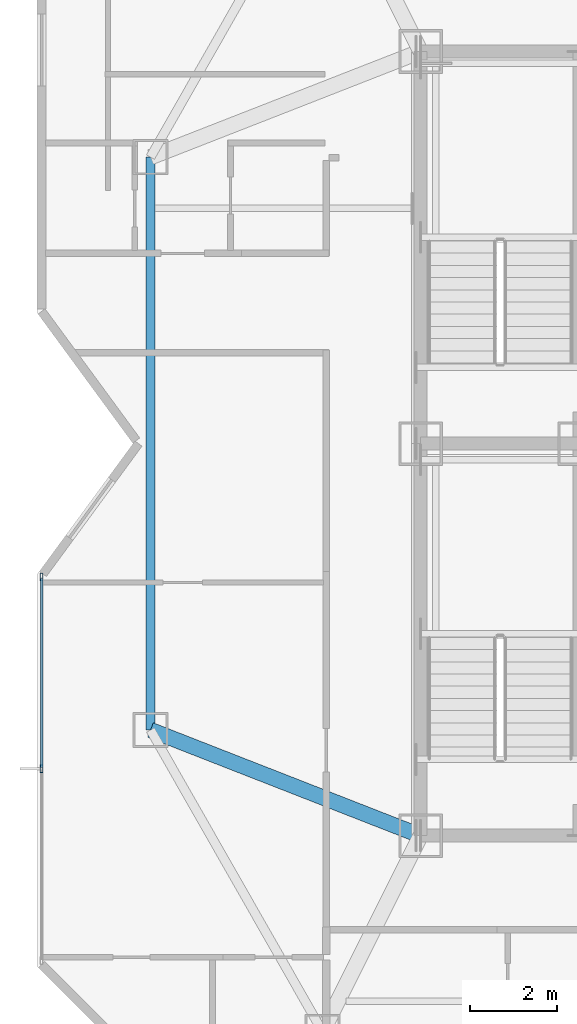
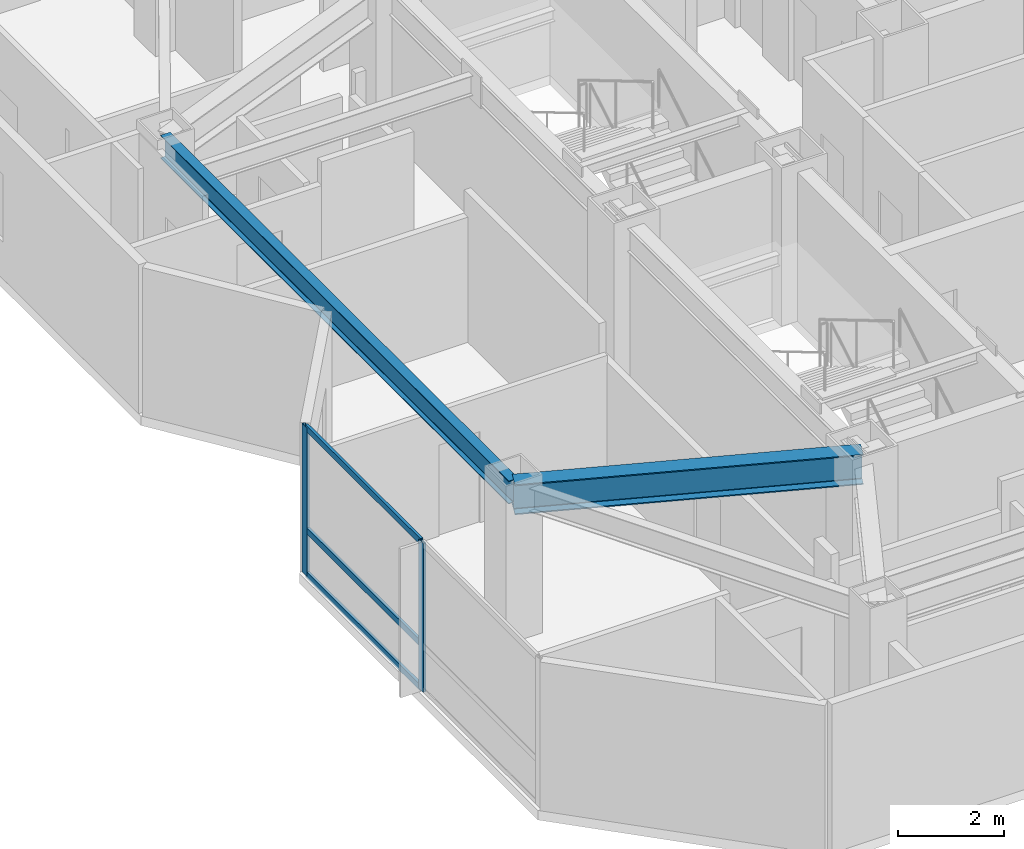
# One storey, part 4 of 14: 5 members, 2 beams, 1 element without a shape of its own.
"""IFC4 building model written with IfcOpenShell, lengths in metres."""

from ifc_helpers import new_model, si_unit, direction, frame, origin, origin_2d, place, context, subcontext, project, spatial, hollow_rectangle, i_section, extrude, material, material_profile, profile_set, type_object, element, aggregate, save


model = new_model("IFC4")

# Units and contexts
model_context = context("Model", 3, precision=1e-05, world=origin(), true_north=direction((0.0, 1.0)))
body_context = subcontext(model_context, "Body", "Model", "MODEL_VIEW")
ifc_project = project(units=[si_unit("LENGTHUNIT", "METRE"), si_unit("AREAUNIT", "SQUARE_METRE"), si_unit("VOLUMEUNIT", "CUBIC_METRE"), si_unit("PLANEANGLEUNIT", "RADIAN"), si_unit("MASSUNIT", "GRAM", prefix="KILO")], contexts=[model_context])

# Site, building, storey
site_placement = place(None, origin())
site = spatial("IfcSite", under=ifc_project, at=site_placement, CompositionType="ELEMENT")
building_placement = place(site_placement, origin())
building = spatial("IfcBuilding", under=site, at=building_placement, Name="Khamvora Tower", CompositionType="ELEMENT")
storey_placement = place(building_placement, frame((0.0, 0.0, 231.800048828125)))
storey = spatial("IfcBuildingStorey", under=building, at=storey_placement, Name="L59", CompositionType="ELEMENT", Elevation=231.800048828125)

# Beams
ifc_material_1 = material(Name="Steel S355", Category="steel")
ifc_material_profile_1 = material_profile(ifc_material_1, i_section(OverallWidth=0.35498046875, OverallDepth=0.695068359375, WebThickness=0.014892578125, FlangeThickness=0.02490234375, FilletRadius=0.01611328125, at=origin_2d()), Name="W690x217")
ifc_profile_set_1 = profile_set([ifc_material_profile_1], Name="Steel S355")
beam_type_1 = type_object("IfcBeamType", Name="BM-PG-W690x217", PredefinedType="BEAM", material=ifc_profile_set_1)
beam_1_placement = place(storey_placement, frame((29.0, 19.0, 3.08203125), z_axis=(-0.931294712743, 0.36426660294, 0.0), x_axis=(-0.36426660294, -0.931294712743, 0.0)))
element("IfcBeam", 1, at=beam_1_placement, inside=storey, type_object=beam_type_1, Name="L59 primary floor girder W1", PredefinedType="BEAM", context=body_context, shape_type="SweptSolid", body=[
    extrude(i_section(OverallWidth=0.35498046875, OverallDepth=0.695068359375, WebThickness=0.014892578125, FlangeThickness=0.02490234375, FilletRadius=0.01611328125, at=origin_2d()), origin(), (0.0, 0.0, 1.0), 6.6572265625),
])
ifc_material_profile_2 = material_profile(ifc_material_1, i_section(OverallWidth=0.208984375, OverallDepth=0.532958984375, WebThickness=0.010009765625, FlangeThickness=0.01611328125, FilletRadius=0.013916015625, at=origin_2d()), Name="W530x92")
ifc_profile_set_2 = profile_set([ifc_material_profile_2], Name="Steel S355")
beam_type_2 = type_object("IfcBeamType", Name="BM-SP-W530x92", PredefinedType="SPANDREL", material=ifc_profile_set_2)
beam_2_placement = place(storey_placement, frame((22.800048828125, 34.574951171875, 3.162841796875), z_axis=(0.0, -1.0, 0.0), x_axis=(1.0, 0.0, 0.0)))
element("IfcBeam", 2, at=beam_2_placement, inside=storey, type_object=beam_type_2, Name="L59 perimeter spandrel beam W2-W1", PredefinedType="SPANDREL", context=body_context, shape_type="SweptSolid", body=[
    extrude(i_section(OverallWidth=0.208984375, OverallDepth=0.532958984375, WebThickness=0.010009765625, FlangeThickness=0.01611328125, FilletRadius=0.013916015625, at=origin_2d()), origin(), (0.0, 0.0, 1.0), 13.14990234375),
])

# Curtain wall, members
ifc_material_2 = material(Name="Anodised Aluminium 6063-T6", Category="aluminium")
curtain_wall_type = type_object("IfcCurtainWallType", Name="CW-SYS-05", PredefinedType="NOTDEFINED", material=ifc_material_2)
curtain_wall_placement = place(storey_placement, origin())
curtain_wall = element("IfcCurtainWall", 3, at=curtain_wall_placement, inside=storey, type_object=curtain_wall_type, Name="L59 stick curtain wall 02.1", PredefinedType="NOTDEFINED")
ifc_material_profile_3 = material_profile(ifc_material_2, hollow_rectangle(XDim=0.06005859375, YDim=0.175048828125, WallThickness=0.0048828125, at=origin_2d()), Name="MUL60x175x5")
ifc_profile_set_3 = profile_set([ifc_material_profile_3], Name="Anodised Aluminium 6063-T6")
member_type_1 = type_object("IfcMemberType", Name="CW-SYS-05-MUL", PredefinedType="MULLION", material=ifc_profile_set_3)
member_1_placement = place(storey_placement, frame((20.300048828125, 20.535400390625, 0.0), z_axis=(0.0, 0.0, 1.0), x_axis=(-1.0, 0.0, 0.0)))
member_1 = element("IfcMember", 4, at=member_1_placement, type_object=member_type_1, Name="CW-05 mullion 2", PredefinedType="MULLION", context=body_context, shape_type="SweptSolid", body=[
    extrude(hollow_rectangle(XDim=0.06005859375, YDim=0.175048828125, WallThickness=0.0048828125, at=origin_2d()), origin(), (0.0, 0.0, 1.0), 3.429931640625),
])
member_2_placement = place(storey_placement, frame((20.300048828125, 24.93701171875, 0.0), z_axis=(0.0, 0.0, 1.0), x_axis=(-1.0, 0.0, 0.0)))
member_2 = element("IfcMember", 5, at=member_2_placement, type_object=member_type_1, Name="CW-05 mullion 3", PredefinedType="MULLION", context=body_context, shape_type="SweptSolid", body=[
    extrude(hollow_rectangle(XDim=0.06005859375, YDim=0.175048828125, WallThickness=0.0048828125, at=origin_2d()), origin(), (0.0, 0.0, 1.0), 3.429931640625),
])
ifc_material_profile_4 = material_profile(ifc_material_2, hollow_rectangle(XDim=0.06005859375, YDim=0.14501953125, WallThickness=0.0048828125, at=origin_2d()), Name="TRN60x145x5")
ifc_profile_set_4 = profile_set([ifc_material_profile_4], Name="Anodised Aluminium 6063-T6")
member_type_2 = type_object("IfcMemberType", Name="CW-SYS-05-TRN", PredefinedType="USERDEFINED", material=ifc_profile_set_4)
member_3_placement = place(storey_placement, frame((20.300048828125, 20.5654296875, 0.030029296875), z_axis=(0.0, 1.0, 0.0), x_axis=(-1.0, 0.0, 0.0)))
member_3 = element("IfcMember", 6, at=member_3_placement, type_object=member_type_2, Name="CW-05 transom 2.1", ObjectType="TRANSOM", PredefinedType="USERDEFINED", context=body_context, shape_type="SweptSolid", body=[
    extrude(hollow_rectangle(XDim=0.06005859375, YDim=0.14501953125, WallThickness=0.0048828125, at=origin_2d()), origin(), (0.0, 0.0, 1.0), 4.341552734375),
])
member_4_placement = place(storey_placement, frame((20.300048828125, 20.5654296875, 1.050048828125), z_axis=(0.0, 1.0, 0.0), x_axis=(-1.0, 0.0, 0.0)))
member_4 = element("IfcMember", 7, at=member_4_placement, type_object=member_type_2, Name="CW-05 transom 2.2", ObjectType="TRANSOM", PredefinedType="USERDEFINED", context=body_context, shape_type="SweptSolid", body=[
    extrude(hollow_rectangle(XDim=0.06005859375, YDim=0.14501953125, WallThickness=0.0048828125, at=origin_2d()), origin(), (0.0, 0.0, 1.0), 4.341552734375),
])
member_5_placement = place(storey_placement, frame((20.300048828125, 20.5654296875, 3.39990234375), z_axis=(0.0, 1.0, 0.0), x_axis=(-1.0, 0.0, 0.0)))
member_5 = element("IfcMember", 8, at=member_5_placement, type_object=member_type_2, Name="CW-05 transom 2.3", ObjectType="TRANSOM", PredefinedType="USERDEFINED", context=body_context, shape_type="SweptSolid", body=[
    extrude(hollow_rectangle(XDim=0.06005859375, YDim=0.14501953125, WallThickness=0.0048828125, at=origin_2d()), origin(), (0.0, 0.0, 1.0), 4.341552734375),
])
aggregate(curtain_wall, [member_1, member_2, member_3, member_4, member_5])

save(model, "model.ifc")
